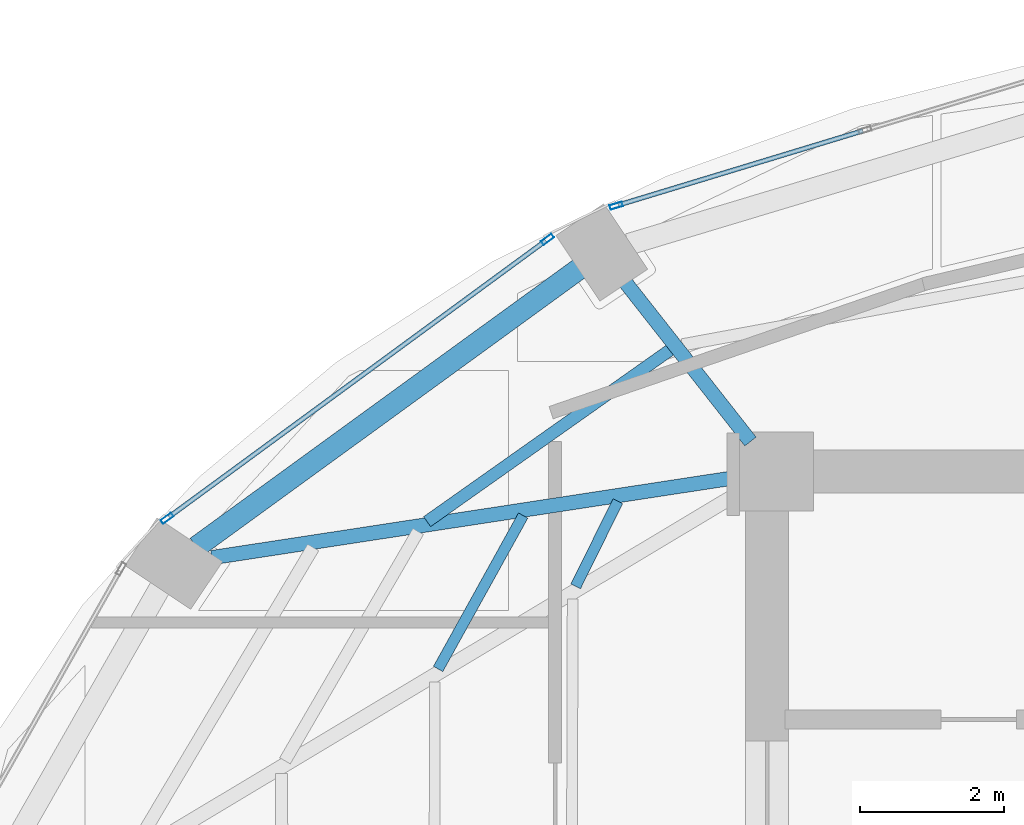
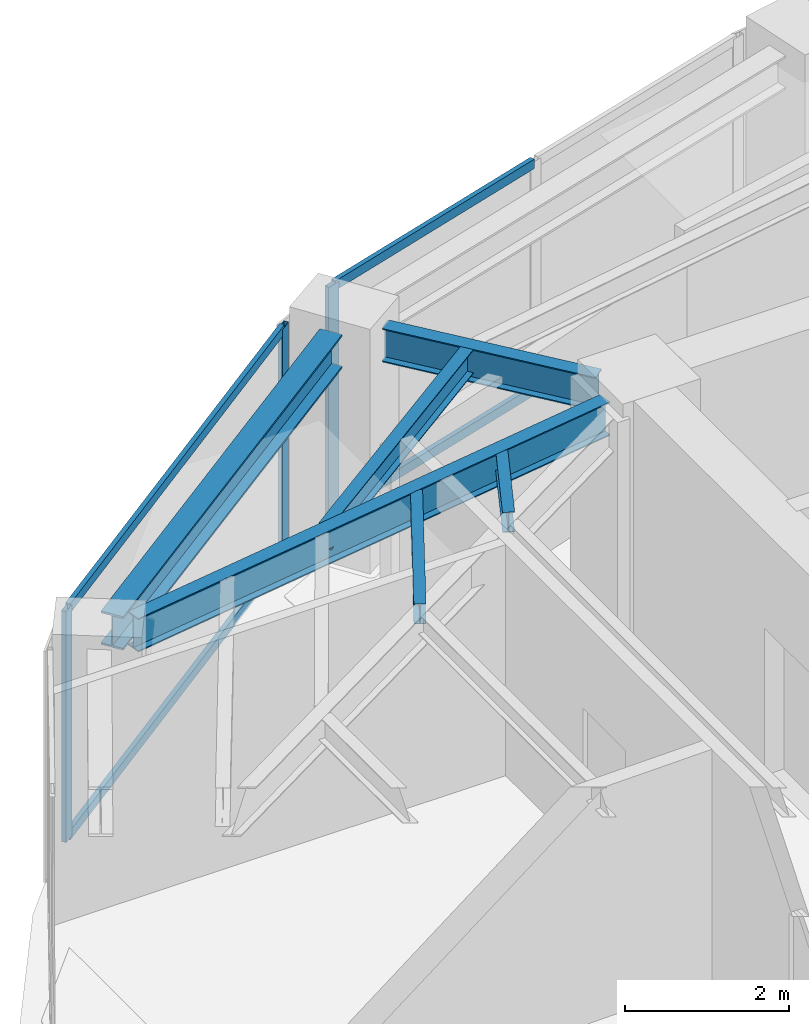
# One storey, part 10 of 22: 7 members, 6 beams, 2 elements without a shape of their own.
"""IFC4 building model written with IfcOpenShell, lengths in metres."""

from ifc_helpers import new_model, si_unit, direction, frame, origin, origin_2d, place, context, subcontext, project, spatial, hollow_rectangle, i_section, extrude, material, layer, layer_set, material_profile, profile_set, type_object, element, aggregate, save


model = new_model("IFC4")

# Units and contexts
model_context = context("Model", 3, precision=1e-05, world=origin(), true_north=direction((0.0, 1.0)))
body_context = subcontext(model_context, "Body", "Model", "MODEL_VIEW")
ifc_project = project(units=[si_unit("LENGTHUNIT", "METRE"), si_unit("AREAUNIT", "SQUARE_METRE"), si_unit("VOLUMEUNIT", "CUBIC_METRE"), si_unit("PLANEANGLEUNIT", "RADIAN"), si_unit("MASSUNIT", "GRAM", prefix="KILO")], contexts=[model_context])

# Site, building, storey
site_placement = place(None, origin())
site = spatial("IfcSite", under=ifc_project, at=site_placement, CompositionType="ELEMENT")
building_placement = place(site_placement, origin())
building = spatial("IfcBuilding", under=site, at=building_placement, Name="Lazwardi Medical Tower", CompositionType="ELEMENT")
storey_placement = place(building_placement, frame((0.0, 0.0, 227.6640625)))
storey = spatial("IfcBuildingStorey", under=building, at=storey_placement, Name="L59", CompositionType="ELEMENT", Elevation=227.6640625)

# Beams
ifc_material_1 = material(Name="Steel S355", Category="steel")
ifc_material_profile_1 = material_profile(ifc_material_1, i_section(OverallWidth=0.300048828125, OverallDepth=0.5, WebThickness=0.014404296875, FlangeThickness=0.028076171875, at=origin_2d()), Name="HEB 500")
ifc_profile_set_1 = profile_set([ifc_material_profile_1], Name="Steel S355")
beam_type_1 = type_object("IfcBeamType", Name="BM-RB-Z4", PredefinedType="BEAM", material=ifc_profile_set_1)
beam_1_placement = place(storey_placement, frame((23.68408203125, 38.4248046875, 3.197998046875), z_axis=(-0.808889916254, -0.587960120571, 0.0), x_axis=(0.587960120571, -0.808889916254, 0.0)))
element("IfcBeam", 1, at=beam_1_placement, inside=storey, type_object=beam_type_1, Name="Ring beam RB-05 B10 L59", PredefinedType="BEAM", context=body_context, shape_type="SweptSolid", body=[
    extrude(i_section(OverallWidth=0.300048828125, OverallDepth=0.5, WebThickness=0.014404296875, FlangeThickness=0.028076171875, at=origin_2d()), origin(), (0.0, 0.0, 1.0), 6.587158203125),
])
ifc_material_profile_2 = material_profile(ifc_material_1, i_section(OverallWidth=0.199951171875, OverallDepth=0.5, WebThickness=0.01025390625, FlangeThickness=0.01611328125, at=origin_2d()), Name="IPE 500")
ifc_profile_set_2 = profile_set([ifc_material_profile_2], Name="Steel S355")
beam_type_2 = type_object("IfcBeamType", Name="BM-RG-W3", PredefinedType="BEAM", material=ifc_profile_set_2)
beam_2_placement = place(storey_placement, frame((24.330322265625, 38.2333984375, 3.197998046875), z_axis=(0.617890508382, -0.786264153864, 0.0), x_axis=(0.786264153864, 0.617890508382, 0.0)))
element("IfcBeam", 2, at=beam_2_placement, inside=storey, type_object=beam_type_2, Name="Radial girder RG-04 R10 L59", PredefinedType="BEAM", context=body_context, shape_type="SweptSolid", body=[
    extrude(i_section(OverallWidth=0.199951171875, OverallDepth=0.5, WebThickness=0.01025390625, FlangeThickness=0.01611328125, at=origin_2d()), origin(), (0.0, 0.0, 1.0), 2.814453125),
])
beam_3_placement = place(storey_placement, frame((18.569091796875, 34.4033203125, 3.197998046875), z_axis=(0.988522137285, 0.151076087115, 0.0), x_axis=(-0.151076087115, 0.988522137285, 0.0)))
element("IfcBeam", 3, at=beam_3_placement, inside=storey, type_object=beam_type_2, Name="Radial girder RG-04 R11 L59", PredefinedType="BEAM", context=body_context, shape_type="SweptSolid", body=[
    extrude(i_section(OverallWidth=0.199951171875, OverallDepth=0.5, WebThickness=0.01025390625, FlangeThickness=0.01611328125, at=origin_2d()), origin(), (0.0, 0.0, 1.0), 7.38671875),
])
ifc_material_profile_3 = material_profile(ifc_material_1, i_section(OverallWidth=0.169921875, OverallDepth=0.360107421875, WebThickness=0.008056640625, FlangeThickness=0.0126953125, at=origin_2d()), Name="IPE 360")
ifc_profile_set_3 = profile_set([ifc_material_profile_3], Name="Steel S355")
beam_type_3 = type_object("IfcBeamType", Name="BM-SJ-02", PredefinedType="JOIST", material=ifc_profile_set_3)
beam_4_placement = place(storey_placement, frame((24.948486328125, 37.29345703125, 3.267822265625), z_axis=(-0.816711190406, -0.577046645832, 0.0), x_axis=(0.577046645832, -0.816711190406, 0.0)))
element("IfcBeam", 4, at=beam_4_placement, inside=storey, type_object=beam_type_3, Name="Secondary joist SJ-02 R2 B10 L59", PredefinedType="JOIST", context=body_context, shape_type="SweptSolid", body=[
    extrude(i_section(OverallWidth=0.169921875, OverallDepth=0.360107421875, WebThickness=0.008056640625, FlangeThickness=0.0126953125, at=origin_2d()), origin(), (0.0, 0.0, 1.0), 4.139892578125),
])
ifc_material_profile_4 = material_profile(ifc_material_1, i_section(OverallWidth=0.14990234375, OverallDepth=0.300048828125, WebThickness=0.007080078125, FlangeThickness=0.0107421875, at=origin_2d()), Name="IPE 300")
ifc_profile_set_4 = profile_set([ifc_material_profile_4], Name="Steel S355")
beam_type_4 = type_object("IfcBeamType", Name="BM-SJ-03", PredefinedType="JOIST", material=ifc_profile_set_4)
beam_5_placement = place(storey_placement, frame((22.904296875, 34.98974609375, 3.2978515625), z_axis=(-0.484751625998, -0.874651851363, 0.0), x_axis=(0.874651851363, -0.484751625998, 0.0)))
element("IfcBeam", 5, at=beam_5_placement, inside=storey, type_object=beam_type_4, Name="Secondary joist SJ-03 R3 B11 L59", PredefinedType="JOIST", context=body_context, shape_type="SweptSolid", body=[
    extrude(i_section(OverallWidth=0.14990234375, OverallDepth=0.300048828125, WebThickness=0.007080078125, FlangeThickness=0.0107421875, at=origin_2d()), origin(), (0.0, 0.0, 1.0), 2.442626953125),
])
beam_6_placement = place(storey_placement, frame((24.222412109375, 35.188720703125, 3.2978515625), z_axis=(-0.443587297772, -0.89623116954, 0.0), x_axis=(0.89623116954, -0.443587297772, 0.0)))
element("IfcBeam", 6, at=beam_6_placement, inside=storey, type_object=beam_type_4, Name="Secondary joist SJ-03 R4 B11 L59", PredefinedType="JOIST", context=body_context, shape_type="SweptSolid", body=[
    extrude(i_section(OverallWidth=0.14990234375, OverallDepth=0.300048828125, WebThickness=0.007080078125, FlangeThickness=0.0107421875, at=origin_2d()), origin(), (0.0, 0.0, 1.0), 1.32080078125),
])

# Curtain wall, member
ifc_material_2 = material(Name="Anodised bronze aluminium and solar control glazing", Category="aluminium")
ifc_layer = layer(ifc_material_2, 0.18994140625)
ifc_layer_set = layer_set([ifc_layer], Name="Anodised bronze aluminium and solar control glazing")
curtain_wall_type = type_object("IfcCurtainWallType", Name="CW-SYS-04", PredefinedType="NOTDEFINED", material=ifc_layer_set)
curtain_wall_1_placement = place(storey_placement, origin())
curtain_wall_1 = element("IfcCurtainWall", 7, at=curtain_wall_1_placement, inside=storey, type_object=curtain_wall_type, Name="L59 Unitised bronze curtain wall CW-04", PredefinedType="NOTDEFINED")
ifc_material_3 = material(Name="Anodised bronze aluminium", Category="aluminium")
ifc_material_profile_5 = material_profile(ifc_material_3, hollow_rectangle(XDim=0.06494140625, YDim=0.179931640625, WallThickness=0.00390625, at=origin_2d()), Name="ALU-MULLION 180x65x4")
ifc_profile_set_5 = profile_set([ifc_material_profile_5], Name="Anodised bronze aluminium")
member_type_1 = type_object("IfcMemberType", Name="CW-MUL-03", PredefinedType="MULLION", material=ifc_profile_set_5)
member_1_placement = place(storey_placement, frame((24.2001953125, 39.303466796875, 0.0), z_axis=(0.0, 0.0, 1.0), x_axis=(0.290581889515, -0.956850126972, 0.0)))
member_1 = element("IfcMember", 8, at=member_1_placement, type_object=member_type_1, Name="CW-04 mullion 3", PredefinedType="MULLION", context=body_context, shape_type="SweptSolid", body=[
    extrude(hollow_rectangle(XDim=0.06494140625, YDim=0.179931640625, WallThickness=0.00390625, at=origin_2d()), origin(), (0.0, 0.0, 1.0), 3.447998046875),
])

# Curtain wall, members
curtain_wall_2_placement = place(storey_placement, origin())
curtain_wall_2 = element("IfcCurtainWall", 9, at=curtain_wall_2_placement, inside=storey, type_object=curtain_wall_type, Name="L59 Unitised bronze curtain wall CW-04", PredefinedType="NOTDEFINED")
member_2_placement = place(storey_placement, frame((23.24462890625, 38.8349609375, 0.0), z_axis=(0.0, 0.0, 1.0), x_axis=(0.591268230971, -0.806474971121, 0.0)))
member_2 = element("IfcMember", 10, at=member_2_placement, type_object=member_type_1, Name="CW-04 mullion 1", PredefinedType="MULLION", context=body_context, shape_type="SweptSolid", body=[
    extrude(hollow_rectangle(XDim=0.06494140625, YDim=0.179931640625, WallThickness=0.00390625, at=origin_2d()), origin(), (0.0, 0.0, 1.0), 3.447998046875),
])
member_3_placement = place(storey_placement, frame((17.947998046875, 34.95166015625, 0.0), z_axis=(0.0, 0.0, 1.0), x_axis=(0.591268230971, -0.806474971121, 0.0)))
member_3 = element("IfcMember", 11, at=member_3_placement, type_object=member_type_1, Name="CW-04 mullion 2", PredefinedType="MULLION", context=body_context, shape_type="SweptSolid", body=[
    extrude(hollow_rectangle(XDim=0.06494140625, YDim=0.179931640625, WallThickness=0.00390625, at=origin_2d()), origin(), (0.0, 0.0, 1.0), 3.447998046875),
])

# Member
ifc_material_profile_6 = material_profile(ifc_material_3, hollow_rectangle(XDim=0.06494140625, YDim=0.139892578125, WallThickness=0.00341796875, at=origin_2d()), Name="ALU-TRANSOM 140x65x3.5")
ifc_profile_set_6 = profile_set([ifc_material_profile_6], Name="Anodised bronze aluminium")
member_type_2 = type_object("IfcMemberType", Name="CW-TRN-03", PredefinedType="USERDEFINED", material=ifc_profile_set_6)
member_4_placement = place(storey_placement, frame((27.632568359375, 40.345947265625, 0.032470703125), z_axis=(-0.956843409009, -0.290604010015, 0.0), x_axis=(0.290604010015, -0.956843409009, 0.0)))
member_4 = element("IfcMember", 12, at=member_4_placement, type_object=member_type_2, Name="CW-04 transom 2.1", ObjectType="TRANSOM", PredefinedType="USERDEFINED", context=body_context, shape_type="SweptSolid", body=[
    extrude(hollow_rectangle(XDim=0.06494140625, YDim=0.139892578125, WallThickness=0.00341796875, at=origin_2d()), origin(), (0.0, 0.0, 1.0), 3.554443359375),
])

member_5_placement = place(storey_placement, frame((27.632568359375, 40.345947265625, 3.41552734375), z_axis=(-0.956843409009, -0.290604010015, 0.0), x_axis=(0.290604010015, -0.956843409009, 0.0)))
member_5 = element("IfcMember", 13, at=member_5_placement, type_object=member_type_2, Name="CW-04 transom 2.2", ObjectType="TRANSOM", PredefinedType="USERDEFINED", context=body_context, shape_type="SweptSolid", body=[
    extrude(hollow_rectangle(XDim=0.06494140625, YDim=0.139892578125, WallThickness=0.00341796875, at=origin_2d()), origin(), (0.0, 0.0, 1.0), 3.554443359375),
])

aggregate(curtain_wall_1, [member_1, member_4, member_5])

member_6_placement = place(storey_placement, frame((23.218505859375, 38.815673828125, 0.032470703125), z_axis=(-0.80648973359, -0.591248094808, 0.0), x_axis=(0.591248094808, -0.80648973359, 0.0)))
member_6 = element("IfcMember", 14, at=member_6_placement, type_object=member_type_2, Name="CW-04 transom 1.1", ObjectType="TRANSOM", PredefinedType="USERDEFINED", context=body_context, shape_type="SweptSolid", body=[
    extrude(hollow_rectangle(XDim=0.06494140625, YDim=0.139892578125, WallThickness=0.00341796875, at=origin_2d()), origin(), (0.0, 0.0, 1.0), 6.502685546875),
])

member_7_placement = place(storey_placement, frame((23.218505859375, 38.815673828125, 3.41552734375), z_axis=(-0.80648973359, -0.591248094808, 0.0), x_axis=(0.591248094808, -0.80648973359, 0.0)))
member_7 = element("IfcMember", 15, at=member_7_placement, type_object=member_type_2, Name="CW-04 transom 1.2", ObjectType="TRANSOM", PredefinedType="USERDEFINED", context=body_context, shape_type="SweptSolid", body=[
    extrude(hollow_rectangle(XDim=0.06494140625, YDim=0.139892578125, WallThickness=0.00341796875, at=origin_2d()), origin(), (0.0, 0.0, 1.0), 6.502685546875),
])

aggregate(curtain_wall_2, [member_2, member_3, member_6, member_7])

save(model, "model.ifc")
